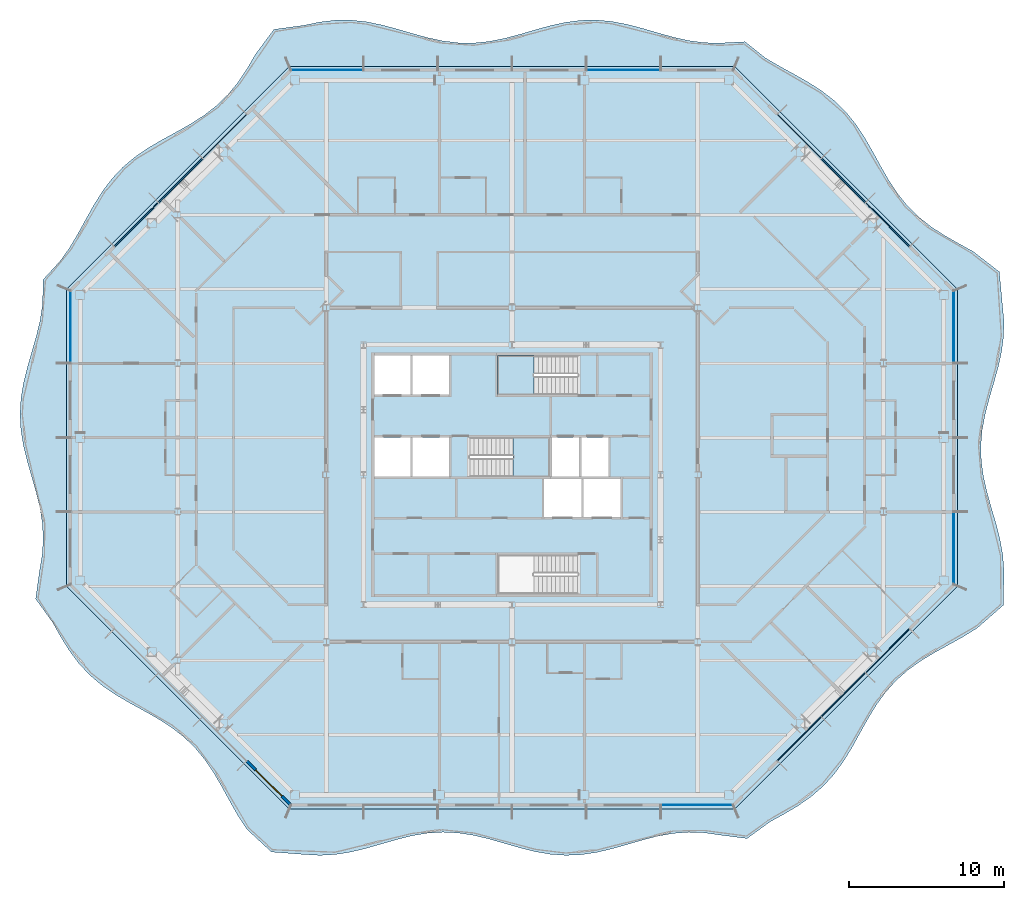
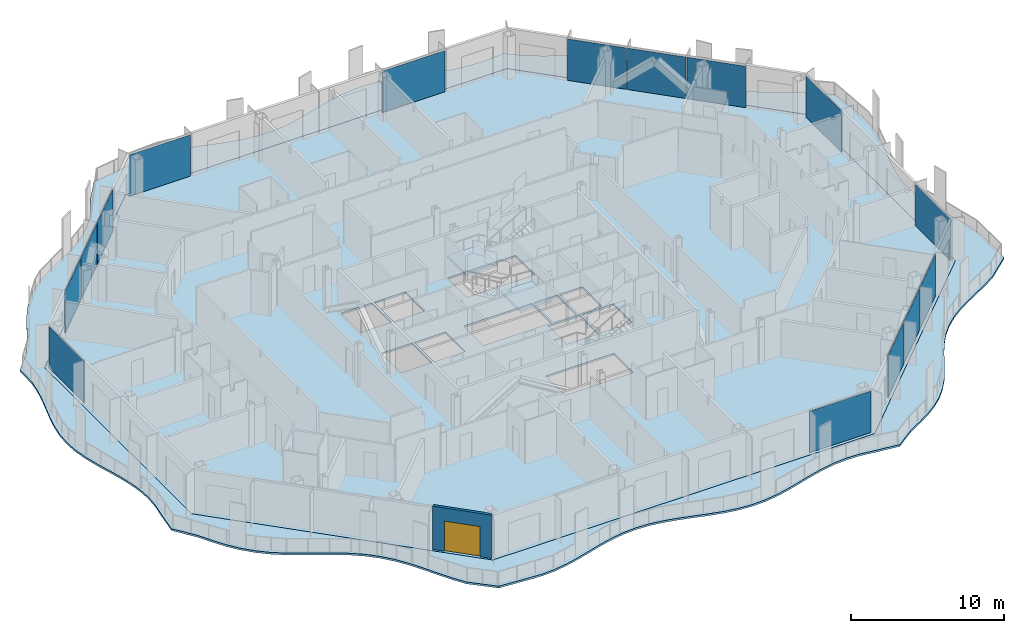
# One storey, part 6 of 20: 15 plates, 4 slabs, 1 door, 1 wall, 1 opening, 9 elements without a shape of their own.
"""IFC4 building model written with IfcOpenShell, lengths in metres."""

from ifc_helpers import new_model, si_unit, direction, frame, frame_2d, origin, origin_2d, place, context, subcontext, project, spatial, polyline, rectangle, outline, extrude, material, layer, layer_set, type_object, element, fill, aggregate, save


model = new_model("IFC4")

# Units and contexts
model_context = context("Model", 3, precision=1e-05, world=origin(), true_north=direction((0.0, 1.0)))
body_context = subcontext(model_context, "Body", "Model", "MODEL_VIEW")
ifc_project = project(units=[si_unit("LENGTHUNIT", "METRE"), si_unit("AREAUNIT", "SQUARE_METRE"), si_unit("VOLUMEUNIT", "CUBIC_METRE"), si_unit("PLANEANGLEUNIT", "RADIAN"), si_unit("MASSUNIT", "GRAM", prefix="KILO")], contexts=[model_context])

# Site, building, storey
site_placement = place(None, origin())
site = spatial("IfcSite", under=ifc_project, at=site_placement, CompositionType="ELEMENT")
building_placement = place(site_placement, origin())
building = spatial("IfcBuilding", under=site, at=building_placement, Name="Cairn Pilgrim Tower", CompositionType="ELEMENT")
storey_placement = place(building_placement, frame((0.0, 0.0, 165.0)))
storey = spatial("IfcBuildingStorey", under=building, at=storey_placement, Name="L41", CompositionType="ELEMENT", Elevation=165.0)

# Slabs
ifc_material_1 = material(Name="Concrete C35/45", Category="concrete")
ifc_layer_1 = layer(ifc_material_1, 0.14990234375)
ifc_layer_set_1 = layer_set([ifc_layer_1], Name="BALCONY SLAB 150 CONCRETE C35/45")
slab_type_1 = type_object("IfcSlabType", Name="BALCONY SLAB 150 CONCRETE C35/45", PredefinedType="FLOOR", material=ifc_layer_set_1)
slab_1_placement = place(storey_placement, frame((0.0, 0.0, -0.14990234375)))
element("IfcSlab", 1, at=slab_1_placement, inside=storey, type_object=slab_type_1, Name="Balcony slab BS-1", PredefinedType="FLOOR", context=body_context, shape_type="SweptSolid", body=[
    extrude(outline(polyline([(-9.94482421875, -20.5048828125), (-8.3515625, -21.980224609375), (-6.206787109375, -22.14208984375), (-5.2138671875, -22.199951171875), (-4.220703125, -22.145263671875), (-3.2275390625, -21.986083984375), (-2.234375, -21.746337890625), (-1.241455078125, -21.462158203125), (-0.248291015625, -21.17626953125), (0.744873046875, -20.931396484375), (1.738037109375, -20.764404296875), (2.73095703125, -20.7001953125), (3.72412109375, -20.748779296875), (4.71728515625, -20.90283203125), (5.71044921875, -21.138671875), (6.703369140625, -21.421630859375), (7.696533203125, -21.708740234375), (8.689697265625, -21.956787109375), (9.682861328125, -22.12890625), (10.67578125, -22.19921875), (11.6689453125, -22.15673828125), (12.662109375, -22.00830078125), (13.6552734375, -21.77587890625), (14.648193359375, -21.49462890625), (15.641357421875, -21.206787109375), (16.634521484375, -20.955322265625), (17.627685546875, -20.778076171875), (18.62060546875, -20.701904296875), (19.61376953125, -20.738037109375), (20.60693359375, -20.881103515625), (22.390869140625, -21.109619140625), (23.873046875, -20.033203125), (24.802001953125, -19.52197265625), (25.7041015625, -18.98388671875), (26.55029296875, -18.39013671875), (27.32080078125, -17.720947265625), (28.0078125, -16.9677734375), (28.616455078125, -16.136474609375), (29.164306640625, -15.244384765625), (29.678466796875, -14.318359375), (30.19140625, -13.391357421875), (30.73583984375, -12.495849609375), (31.339599609375, -11.659423828125), (32.020751953125, -10.900634765625), (32.78564453125, -10.2255859375), (33.626953125, -9.626953125), (34.52587890625, -9.0859375), (35.453857421875, -8.573974609375), (36.37841796875, -8.058349609375), (37.266845703125, -7.5068359375), (38.9599609375, -6.026123046875), (38.998291015625, -3.78955078125), (38.920166015625, -2.779052734375), (38.738037109375, -1.768310546875), (38.47998046875, -0.7578125), (38.18603515625, 0.252685546875), (37.90234375, 1.26318359375), (37.67236328125, 2.273681640625), (37.532470703125, 3.2841796875), (37.50390625, 4.294677734375), (37.59130859375, 5.30517578125), (37.78125, 6.315673828125), (38.0439453125, 7.326416015625), (38.338623046875, 8.3369140625), (38.61962890625, 9.347412109375), (38.843017578125, 10.35791015625), (38.974365234375, 11.368408203125), (38.9931640625, 12.37890625), (38.896484375, 13.389404296875), (38.69921875, 15.51806640625), (36.998291015625, 16.838134765625), (36.06787109375, 17.347900390625), (35.150390625, 17.870361328125), (34.27734375, 18.4375), (33.47265625, 19.07275390625), (32.749755859375, 19.789794921875), (32.109130859375, 20.589111328125), (31.5380859375, 21.458251953125), (31.013427734375, 22.373291015625), (30.504150390625, 23.303955078125), (29.976806640625, 24.216796875), (29.4013671875, 25.081298828125), (28.7548828125, 25.874755859375), (28.025634765625, 26.585693359375), (27.21533203125, 27.21533203125), (26.337890625, 27.778076171875), (25.41845703125, 28.298583984375), (24.488525390625, 28.808349609375), (23.580810546875, 29.3408203125), (22.25927734375, 30.391357421875), (20.60693359375, 30.304443359375), (19.61376953125, 30.329345703125), (18.62060546875, 30.462646484375), (17.627685546875, 30.68408203125), (16.634521484375, 30.96044921875), (15.641357421875, 31.250244140625), (14.648193359375, 31.510009765625), (13.6552734375, 31.70068359375), (12.662109375, 31.793701171875), (11.6689453125, 31.77490234375), (10.67578125, 31.6474609375), (9.682861328125, 31.43017578125), (8.689697265625, 31.15576171875), (7.696533203125, 30.865478515625), (6.703369140625, 30.60302734375), (5.71044921875, 30.40771484375), (4.71728515625, 30.30859375), (3.72412109375, 30.321044921875), (2.73095703125, 30.44287109375), (1.738037109375, 30.656005859375), (0.744873046875, 30.92822265625), (-0.248291015625, 31.21875), (-1.241455078125, 31.48388671875), (-2.234375, 31.683837890625), (-3.2275390625, 31.78857421875), (-4.220703125, 31.782470703125), (-5.2138671875, 31.66650390625), (-6.206787109375, 31.457763671875), (-8.18896484375, 31.187744140625), (-9.397705078125, 29.557861328125), (-9.925048828125, 28.64501953125), (-10.50048828125, 27.780517578125), (-11.147216796875, 26.987060546875), (-11.876220703125, 26.2763671875), (-12.686767578125, 25.646728515625), (-13.56396484375, 25.083984375), (-14.483642578125, 24.5634765625), (-15.41357421875, 24.0537109375), (-16.3212890625, 23.521240234375), (-17.1767578125, 22.936767578125), (-17.958740234375, 22.27880859375), (-18.657470703125, 21.53759765625), (-19.2763671875, 20.71630859375), (-19.831298828125, 19.831298828125), (-20.34814453125, 18.908203125), (-20.859375, 17.979248046875), (-21.3974609375, 17.07763671875), (-21.991455078125, 16.2314453125), (-23.1005859375, 15.021484375), (-23.146728515625, 13.389404296875), (-23.30224609375, 12.37890625), (-23.54296875, 11.368408203125), (-23.831298828125, 10.35791015625), (-24.122314453125, 9.347412109375), (-24.371337890625, 8.3369140625), (-24.539306640625, 7.326416015625), (-24.599853515625, 6.315673828125), (-24.544189453125, 5.30517578125), (-24.38037109375, 4.294677734375), (-24.13427734375, 3.2841796875), (-23.843994140625, 2.273681640625), (-23.5546875, 1.26318359375), (-23.31103515625, 0.252685546875), (-23.1513671875, -0.7578125), (-23.100341796875, -1.768310546875), (-23.16552734375, -2.779052734375), (-23.33740234375, -3.78955078125), (-23.5888671875, -5.623779296875), (-22.494384765625, -7.13427734375), (-21.978759765625, -8.058837890625), (-21.42724609375, -8.947265625), (-20.813232421875, -9.773193359375), (-20.119873046875, -10.52001953125), (-19.34326171875, -11.18310546875), (-18.491943359375, -11.77197265625), (-17.5869140625, -12.306884765625), (-16.6572265625, -12.8173828125), (-15.736083984375, -13.336181640625), (-14.855224609375, -13.895263671875), (-14.039794921875, -14.519775390625), (-13.30517578125, -15.22509765625), (-12.6533203125, -16.013427734375), (-12.07373046875, -16.873779296875), (-11.544189453125, -17.784423828125), (-11.03466796875, -18.71484375), (-10.511962890625, -19.632080078125), (-9.94482421875, -20.5048828125)]), holes=[polyline([(21.60009765625, -19.199951171875), (-7.199951171875, -19.199951171875), (-21.60009765625, -4.800048828125), (-21.60009765625, 14.39990234375), (-7.199951171875, 28.800048828125), (21.60009765625, 28.800048828125), (36.0, 14.39990234375), (36.0, -4.800048828125), (21.60009765625, -19.199951171875)])]), origin(), (0.0, 0.0, 1.0), 0.14990234375),
])
ifc_layer_2 = layer(ifc_material_1, 0.14990234375)
ifc_layer_set_2 = layer_set([ifc_layer_2], Name="COMPOSITE FLOOR SLAB 150")
slab_type_2 = type_object("IfcSlabType", Name="COMPOSITE FLOOR SLAB 150", PredefinedType="FLOOR", material=ifc_layer_set_2)
slab_2_placement = place(storey_placement, frame((0.0, 0.0, -0.14990234375)))
element("IfcSlab", 2, at=slab_2_placement, inside=storey, type_object=slab_type_2, Name="FLOOR SLAB L41", PredefinedType="FLOOR", context=body_context, shape_type="SweptSolid", body=[
    extrude(outline(polyline([(-7.199951171875, -19.199951171875), (21.60009765625, -19.199951171875), (36.0, -4.800048828125), (36.0, 14.39990234375), (21.60009765625, 28.800048828125), (-7.199951171875, 28.800048828125), (-21.60009765625, 14.39990234375), (-21.60009765625, -4.800048828125), (-7.199951171875, -19.199951171875)]), holes=[polyline([(9.27490234375, -0.324951171875), (11.675048828125, -0.324951171875), (11.675048828125, 2.125), (9.27490234375, 2.125), (9.27490234375, -0.324951171875)]), polyline([(11.824951171875, -0.324951171875), (14.22509765625, -0.324951171875), (14.22509765625, 2.125), (11.824951171875, 2.125), (11.824951171875, -0.324951171875)]), polyline([(-1.72509765625, 2.27490234375), (0.625, 2.27490234375), (0.625, 4.824951171875), (-1.72509765625, 4.824951171875), (-1.72509765625, 2.27490234375)]), polyline([(0.77490234375, 2.27490234375), (3.125, 2.27490234375), (3.125, 4.824951171875), (0.77490234375, 4.824951171875), (0.77490234375, 2.27490234375)]), polyline([(-1.72509765625, 7.574951171875), (0.625, 7.574951171875), (0.625, 10.10009765625), (-1.72509765625, 10.10009765625), (-1.72509765625, 7.574951171875)]), polyline([(0.77490234375, 7.574951171875), (3.125, 7.574951171875), (3.125, 10.10009765625), (0.77490234375, 10.10009765625), (0.77490234375, 7.574951171875)]), polyline([(9.77490234375, 2.27490234375), (11.52490234375, 2.27490234375), (11.52490234375, 4.824951171875), (9.77490234375, 4.824951171875), (9.77490234375, 2.27490234375)]), polyline([(11.675048828125, 2.27490234375), (13.425048828125, 2.27490234375), (13.425048828125, 4.824951171875), (11.675048828125, 4.824951171875), (11.675048828125, 2.27490234375)]), polyline([(11.424560546875, -2.77490234375), (6.27490234375, -2.77490234375), (6.27490234375, -5.300048828125), (11.424560546875, -5.300048828125), (11.424560546875, -2.77490234375)]), polyline([(4.4755859375, 2.27490234375), (9.625, 2.27490234375), (9.625, 4.824951171875), (4.4755859375, 4.824951171875), (4.4755859375, 2.27490234375)]), polyline([(11.424560546875, 10.10009765625), (6.27490234375, 10.10009765625), (6.27490234375, 7.574951171875), (11.424560546875, 7.574951171875), (11.424560546875, 10.10009765625)])]), origin(), (0.0, 0.0, 1.0), 0.14990234375),
])

# Curtain wall, plates
ifc_material_2 = material(Name="Aluminium alloy 6063-T6 bronze anodised with Bronze tinted laminated low-E glass 8+16+8.8", Category="aluminium")
curtain_wall_type_1 = type_object("IfcCurtainWallType", Name="CHAMFER CORNER CURTAIN WALL", PredefinedType="NOTDEFINED", material=ifc_material_2)
curtain_wall_1_placement = place(storey_placement, origin())
curtain_wall_1 = element("IfcCurtainWall", 3, at=curtain_wall_1_placement, inside=storey, type_object=curtain_wall_type_1, Name="Chamfer Corner Curtain Wall SE", PredefinedType="NOTDEFINED")
ifc_material_3 = material(Name="Bronze anodised aluminium spandrel panel with mineral wool insulation", Category="aluminium")
ifc_layer_3 = layer(ifc_material_3, 0.06005859375)
ifc_layer_set_3 = layer_set([ifc_layer_3], Name="SPANDREL PANEL 3972x3300")
plate_type_1 = type_object("IfcPlateType", Name="SPANDREL PANEL 3972x3300", PredefinedType="CURTAIN_PANEL", material=ifc_layer_set_3)
plate_1_placement = place(storey_placement, frame((25.7724609375, -14.673828125, 0.0), z_axis=(0.0, 0.0, 1.0), x_axis=(0.707106781187, 0.707106781187, 0.0)))
plate_1 = element("IfcPlate", 4, at=plate_1_placement, type_object=plate_type_1, Name="Spandrel Panel SE2-1", PredefinedType="CURTAIN_PANEL", context=body_context, shape_type="SweptSolid", body=[
    extrude(rectangle(XDim=3.971435546875, YDim=0.06005859375, at=origin_2d()), origin(), (0.0, 0.0, 1.0), 3.300048828125),
])
plate_2_placement = place(storey_placement, frame((28.623291015625, -11.8232421875, 0.0), z_axis=(0.0, 0.0, 1.0), x_axis=(0.707106781187, 0.707106781187, 0.0)))
plate_2 = element("IfcPlate", 5, at=plate_2_placement, type_object=plate_type_1, Name="Spandrel Panel SE3-1", PredefinedType="CURTAIN_PANEL", context=body_context, shape_type="SweptSolid", body=[
    extrude(rectangle(XDim=3.971435546875, YDim=0.06005859375, at=origin_2d()), origin(), (0.0, 0.0, 1.0), 3.300048828125),
])
plate_3_placement = place(storey_placement, frame((31.473876953125, -8.972412109375, 0.0), z_axis=(0.0, 0.0, 1.0), x_axis=(0.707106781187, 0.707106781187, 0.0)))
plate_3 = element("IfcPlate", 6, at=plate_3_placement, type_object=plate_type_1, Name="Spandrel Panel SE4-1", PredefinedType="CURTAIN_PANEL", context=body_context, shape_type="SweptSolid", body=[
    extrude(rectangle(XDim=3.971435546875, YDim=0.06005859375, at=origin_2d()), origin(), (0.0, 0.0, 1.0), 3.300048828125),
])
aggregate(curtain_wall_1, [plate_1, plate_2, plate_3])

curtain_wall_2_placement = place(storey_placement, origin())
curtain_wall_2 = element("IfcCurtainWall", 7, at=curtain_wall_2_placement, inside=storey, type_object=curtain_wall_type_1, Name="Chamfer Corner Curtain Wall NE", PredefinedType="NOTDEFINED")
plate_4_placement = place(storey_placement, frame((31.473876953125, 18.572509765625, 0.0), z_axis=(0.0, 0.0, 1.0), x_axis=(-0.707106781187, 0.707106781187, 0.0)))
plate_4 = element("IfcPlate", 8, at=plate_4_placement, type_object=plate_type_1, Name="Spandrel Panel NE2-1", PredefinedType="CURTAIN_PANEL", context=body_context, shape_type="SweptSolid", body=[
    extrude(rectangle(XDim=3.971435546875, YDim=0.06005859375, at=origin_2d()), origin(), (0.0, 0.0, 1.0), 3.300048828125),
])
plate_5_placement = place(storey_placement, frame((28.623291015625, 21.42333984375, 0.0), z_axis=(0.0, 0.0, 1.0), x_axis=(-0.707106781187, 0.707106781187, 0.0)))
plate_5 = element("IfcPlate", 9, at=plate_5_placement, type_object=plate_type_1, Name="Spandrel Panel NE3-1", PredefinedType="CURTAIN_PANEL", context=body_context, shape_type="SweptSolid", body=[
    extrude(rectangle(XDim=3.971435546875, YDim=0.06005859375, at=origin_2d()), origin(), (0.0, 0.0, 1.0), 3.300048828125),
])
plate_6_placement = place(storey_placement, frame((25.7724609375, 24.27392578125, 0.0), z_axis=(0.0, 0.0, 1.0), x_axis=(-0.707106781187, 0.707106781187, 0.0)))
plate_6 = element("IfcPlate", 10, at=plate_6_placement, type_object=plate_type_1, Name="Spandrel Panel NE4-1", PredefinedType="CURTAIN_PANEL", context=body_context, shape_type="SweptSolid", body=[
    extrude(rectangle(XDim=3.971435546875, YDim=0.06005859375, at=origin_2d()), origin(), (0.0, 0.0, 1.0), 3.300048828125),
])
aggregate(curtain_wall_2, [plate_4, plate_5, plate_6])

curtain_wall_3_placement = place(storey_placement, origin())
curtain_wall_3 = element("IfcCurtainWall", 11, at=curtain_wall_3_placement, inside=storey, type_object=curtain_wall_type_1, Name="Chamfer Corner Curtain Wall NW", PredefinedType="NOTDEFINED")
plate_7_placement = place(storey_placement, frame((-11.37255859375, 24.27392578125, 0.0), z_axis=(0.0, 0.0, 1.0), x_axis=(-0.707106781187, -0.707106781187, 0.0)))
plate_7 = element("IfcPlate", 12, at=plate_7_placement, type_object=plate_type_1, Name="Spandrel Panel NW2-1", PredefinedType="CURTAIN_PANEL", context=body_context, shape_type="SweptSolid", body=[
    extrude(rectangle(XDim=3.971435546875, YDim=0.06005859375, at=origin_2d()), origin(), (0.0, 0.0, 1.0), 3.300048828125),
])
plate_8_placement = place(storey_placement, frame((-14.22314453125, 21.42333984375, 0.0), z_axis=(0.0, 0.0, 1.0), x_axis=(-0.707106781187, -0.707106781187, 0.0)))
plate_8 = element("IfcPlate", 13, at=plate_8_placement, type_object=plate_type_1, Name="Spandrel Panel NW3-1", PredefinedType="CURTAIN_PANEL", context=body_context, shape_type="SweptSolid", body=[
    extrude(rectangle(XDim=3.971435546875, YDim=0.06005859375, at=origin_2d()), origin(), (0.0, 0.0, 1.0), 3.300048828125),
])
plate_9_placement = place(storey_placement, frame((-17.073974609375, 18.572509765625, 0.0), z_axis=(0.0, 0.0, 1.0), x_axis=(-0.707106781187, -0.707106781187, 0.0)))
plate_9 = element("IfcPlate", 14, at=plate_9_placement, type_object=plate_type_1, Name="Spandrel Panel NW4-1", PredefinedType="CURTAIN_PANEL", context=body_context, shape_type="SweptSolid", body=[
    extrude(rectangle(XDim=3.971435546875, YDim=0.06005859375, at=origin_2d()), origin(), (0.0, 0.0, 1.0), 3.300048828125),
])
aggregate(curtain_wall_3, [plate_7, plate_8, plate_9])

# Stair, slab
ifc_material_4 = material(Name="Concrete C32/40", Category="concrete")
stair_type = type_object("IfcStairType", Name="EXIT STAIR 1200", PredefinedType="HALF_TURN_STAIR", material=ifc_material_4)
stair_1_placement = place(storey_placement, origin())
stair_1 = element("IfcStair", 15, at=stair_1_placement, inside=storey, type_object=stair_type, Name="L41 Exit Stair B", PredefinedType="HALF_TURN_STAIR")
ifc_layer_4 = layer(ifc_material_4, 0.199951171875)
ifc_layer_set_4 = layer_set([ifc_layer_4], Name="STAIR LANDING 200")
slab_type_3 = type_object("IfcSlabType", Name="STAIR LANDING 200", PredefinedType="LANDING", material=ifc_layer_set_4)
slab_3_placement = place(storey_placement, frame((0.0, 0.0, 1.60009765625)))
slab_3 = element("IfcSlab", 16, at=slab_3_placement, type_object=slab_type_3, Name="ST-B landing 1", PredefinedType="LANDING", context=body_context, shape_type="SweptSolid", body=[
    extrude(outline(polyline([(7.27490234375, 2.27490234375), (9.625, 2.27490234375), (9.625, 4.824951171875), (7.27490234375, 4.824951171875), (7.27490234375, 2.27490234375)])), origin(), (0.0, 0.0, 1.0), 0.199951171875),
])
aggregate(stair_1, [slab_3])

stair_2_placement = place(storey_placement, origin())
stair_2 = element("IfcStair", 17, at=stair_2_placement, inside=storey, type_object=stair_type, Name="L41 Exit Stair C", PredefinedType="HALF_TURN_STAIR")
slab_4_placement = place(storey_placement, frame((0.0, 0.0, 1.60009765625)))
slab_4 = element("IfcSlab", 18, at=slab_4_placement, type_object=slab_type_3, Name="ST-C landing 1", PredefinedType="LANDING", context=body_context, shape_type="SweptSolid", body=[
    extrude(outline(polyline([(8.625, 10.10009765625), (6.27490234375, 10.10009765625), (6.27490234375, 7.574951171875), (8.625, 7.574951171875), (8.625, 10.10009765625)])), origin(), (0.0, 0.0, 1.0), 0.199951171875),
])
aggregate(stair_2, [slab_4])

# Curtain wall, plate
curtain_wall_type_2 = type_object("IfcCurtainWallType", Name="TOWER STICK CURTAIN WALL NS", PredefinedType="NOTDEFINED", material=ifc_material_2)
curtain_wall_4_placement = place(storey_placement, origin())
curtain_wall_4 = element("IfcCurtainWall", 19, at=curtain_wall_4_placement, inside=storey, type_object=curtain_wall_type_2, Name="Tower Stick Curtain Wall Ns S", PredefinedType="NOTDEFINED")
ifc_material_5 = material(Name="Bronze tinted laminated low-E glass 8+16+8.8", Category="glass")
ifc_layer_5 = layer(ifc_material_5, 0.033935546875)
ifc_layer_set_5 = layer_set([ifc_layer_5], Name="VISION GLAZING 4626x3300")
plate_type_2 = type_object("IfcPlateType", Name="VISION GLAZING 4626x3300", PredefinedType="CURTAIN_PANEL", material=ifc_layer_set_5)
plate_10_placement = place(storey_placement, frame((19.143310546875, -18.949951171875, 0.0), z_axis=(0.0, 0.0, 1.0), x_axis=(1.0, 0.0, 0.0)))
plate_10 = element("IfcPlate", 20, at=plate_10_placement, type_object=plate_type_2, Name="Vision Glazing S6-1", PredefinedType="CURTAIN_PANEL", context=body_context, shape_type="SweptSolid", body=[
    extrude(rectangle(XDim=4.62646484375, YDim=0.033935546875, at=origin_2d()), origin(), (0.0, 0.0, 1.0), 3.300048828125),
])
aggregate(curtain_wall_4, [plate_10])

# Curtain wall, plates
curtain_wall_type_3 = type_object("IfcCurtainWallType", Name="TOWER STICK CURTAIN WALL EW", PredefinedType="NOTDEFINED", material=ifc_material_2)
curtain_wall_5_placement = place(storey_placement, origin())
curtain_wall_5 = element("IfcCurtainWall", 21, at=curtain_wall_5_placement, inside=storey, type_object=curtain_wall_type_3, Name="Tower Stick Curtain Wall Ew E", PredefinedType="NOTDEFINED")
plate_11_placement = place(storey_placement, frame((35.75, -2.34326171875, 0.0), z_axis=(0.0, 0.0, 1.0), x_axis=(0.0, 1.0, 0.0)))
plate_11 = element("IfcPlate", 22, at=plate_11_placement, type_object=plate_type_2, Name="Vision Glazing E1-1", PredefinedType="CURTAIN_PANEL", context=body_context, shape_type="SweptSolid", body=[
    extrude(rectangle(XDim=4.62646484375, YDim=0.033935546875, at=origin_2d()), origin(), (0.0, 0.0, 1.0), 3.300048828125),
])
plate_12_placement = place(storey_placement, frame((35.75, 11.943115234375, 0.0), z_axis=(0.0, 0.0, 1.0), x_axis=(0.0, 1.0, 0.0)))
plate_12 = element("IfcPlate", 23, at=plate_12_placement, type_object=plate_type_2, Name="Vision Glazing E4-1", PredefinedType="CURTAIN_PANEL", context=body_context, shape_type="SweptSolid", body=[
    extrude(rectangle(XDim=4.62646484375, YDim=0.033935546875, at=origin_2d()), origin(), (0.0, 0.0, 1.0), 3.300048828125),
])
aggregate(curtain_wall_5, [plate_11, plate_12])

# Curtain wall, plate
curtain_wall_6_placement = place(storey_placement, origin())
curtain_wall_6 = element("IfcCurtainWall", 24, at=curtain_wall_6_placement, inside=storey, type_object=curtain_wall_type_2, Name="Tower Stick Curtain Wall Ns N", PredefinedType="NOTDEFINED")
plate_13_placement = place(storey_placement, frame((-4.7431640625, 28.550048828125, 0.0), z_axis=(0.0, 0.0, 1.0), x_axis=(-1.0, 0.0, 0.0)))
plate_13 = element("IfcPlate", 25, at=plate_13_placement, type_object=plate_type_2, Name="Vision Glazing N6-1", PredefinedType="CURTAIN_PANEL", context=body_context, shape_type="SweptSolid", body=[
    extrude(rectangle(XDim=4.62646484375, YDim=0.033935546875, at=origin_2d()), origin(), (0.0, 0.0, 1.0), 3.300048828125),
])

curtain_wall_7_placement = place(storey_placement, origin())
curtain_wall_7 = element("IfcCurtainWall", 26, at=curtain_wall_7_placement, inside=storey, type_object=curtain_wall_type_3, Name="Tower Stick Curtain Wall Ew W", PredefinedType="NOTDEFINED")
plate_14_placement = place(storey_placement, frame((-21.35009765625, 11.943115234375, 0.0), z_axis=(0.0, 0.0, 1.0), x_axis=(0.0, -1.0, 0.0)))
plate_14 = element("IfcPlate", 27, at=plate_14_placement, type_object=plate_type_2, Name="Vision Glazing W1-1", PredefinedType="CURTAIN_PANEL", context=body_context, shape_type="SweptSolid", body=[
    extrude(rectangle(XDim=4.62646484375, YDim=0.033935546875, at=origin_2d()), origin(), (0.0, 0.0, 1.0), 3.300048828125),
])
aggregate(curtain_wall_7, [plate_14])

# Plate
ifc_layer_6 = layer(ifc_material_5, 0.033935546875)
ifc_layer_set_6 = layer_set([ifc_layer_6], Name="VISION GLAZING 4740x3300")
plate_type_3 = type_object("IfcPlateType", Name="VISION GLAZING 4740x3300", PredefinedType="CURTAIN_PANEL", material=ifc_layer_set_6)
plate_15_placement = place(storey_placement, frame((14.39990234375, 28.550048828125, 0.0), z_axis=(0.0, 0.0, 1.0), x_axis=(-1.0, 0.0, 0.0)))
plate_15 = element("IfcPlate", 28, at=plate_15_placement, type_object=plate_type_3, Name="Vision Glazing N2-1", PredefinedType="CURTAIN_PANEL", context=body_context, shape_type="SweptSolid", body=[
    extrude(rectangle(XDim=4.739990234375, YDim=0.033935546875, at=origin_2d()), origin(), (0.0, 0.0, 1.0), 3.300048828125),
])

aggregate(curtain_wall_6, [plate_15, plate_13])

# Wall, opening, door
ifc_material_6 = material(Name="Bronze anodised aluminium insulated sandwich panel with mineral wool fill", Category="aluminium")
ifc_layer_7 = layer(ifc_material_6, 0.199951171875)
ifc_layer_set_7 = layer_set([ifc_layer_7], Name="BRONZE INFILL FRAME WALL 200")
wall_type = type_object("IfcWallType", Name="BRONZE INFILL FRAME WALL 200", PredefinedType="NOTDEFINED", material=ifc_layer_set_7)
wall_placement = place(storey_placement, frame((-9.926025390625, -16.12060546875, 0.0), z_axis=(0.0, 0.0, 1.0), x_axis=(0.707137595296, -0.707075965734, 0.0)))
wall = element("IfcWall", 29, at=wall_placement, inside=storey, type_object=wall_type, Name="Bronze infill frame wall IW-SW5", PredefinedType="NOTDEFINED", context=body_context, shape_type="SweptSolid", body=[
    extrude(rectangle(XDim=3.96142578125, YDim=0.199951171875, at=frame_2d((1.980712890625, 0.0))), origin(), (0.0, 0.0, 1.0), 3.449951171875),
])
opening_placement = place(wall_placement, frame((0.78564453125, 0.0, 0.0)))
opening = element("IfcOpeningElement", 30, at=opening_placement, cuts=wall, Name="Opening 4121B", PredefinedType="OPENING", context=body_context, shape_type="SweptSolid", body=[
    extrude(rectangle(XDim=2.39990234375, YDim=2.39990234375, at=frame_2d((1.199951171875, 1.199951171875))), frame((0.0, 0.10986328125, 0.0), z_axis=(0.0, -1.0, 0.0), x_axis=(1.0, 0.0, 0.0)), (0.0, 0.0, 1.0), 0.219970703125),
])
ifc_material_7 = material(Name="Bronze anodised aluminium frame with tinted low-E glass", Category="aluminium")
door_type = type_object("IfcDoorType", Name="BALCONY SLIDING DOOR 2400x2400", OperationType="DOUBLE_DOOR_SLIDING", PredefinedType="DOOR", material=ifc_material_7)
door_placement = place(opening_placement, origin())
door = element("IfcDoor", 31, at=door_placement, inside=storey, type_object=door_type, Name="Balcony sliding door 4121B", OperationType="SINGLE_SWING_LEFT", OverallHeight=2.39990234375, OverallWidth=2.39990234375, PredefinedType="DOOR", context=body_context, shape_type="SweptSolid", body=[
    extrude(rectangle(XDim=2.39990234375, YDim=2.39990234375, at=frame_2d((1.199951171875, 1.199951171875))), frame((0.0, 0.02490234375, 0.0), z_axis=(0.0, -1.0, 0.0), x_axis=(1.0, 0.0, 0.0)), (0.0, 0.0, 1.0), 0.050048828125),
])
fill(opening, door)

save(model, "model.ifc")
